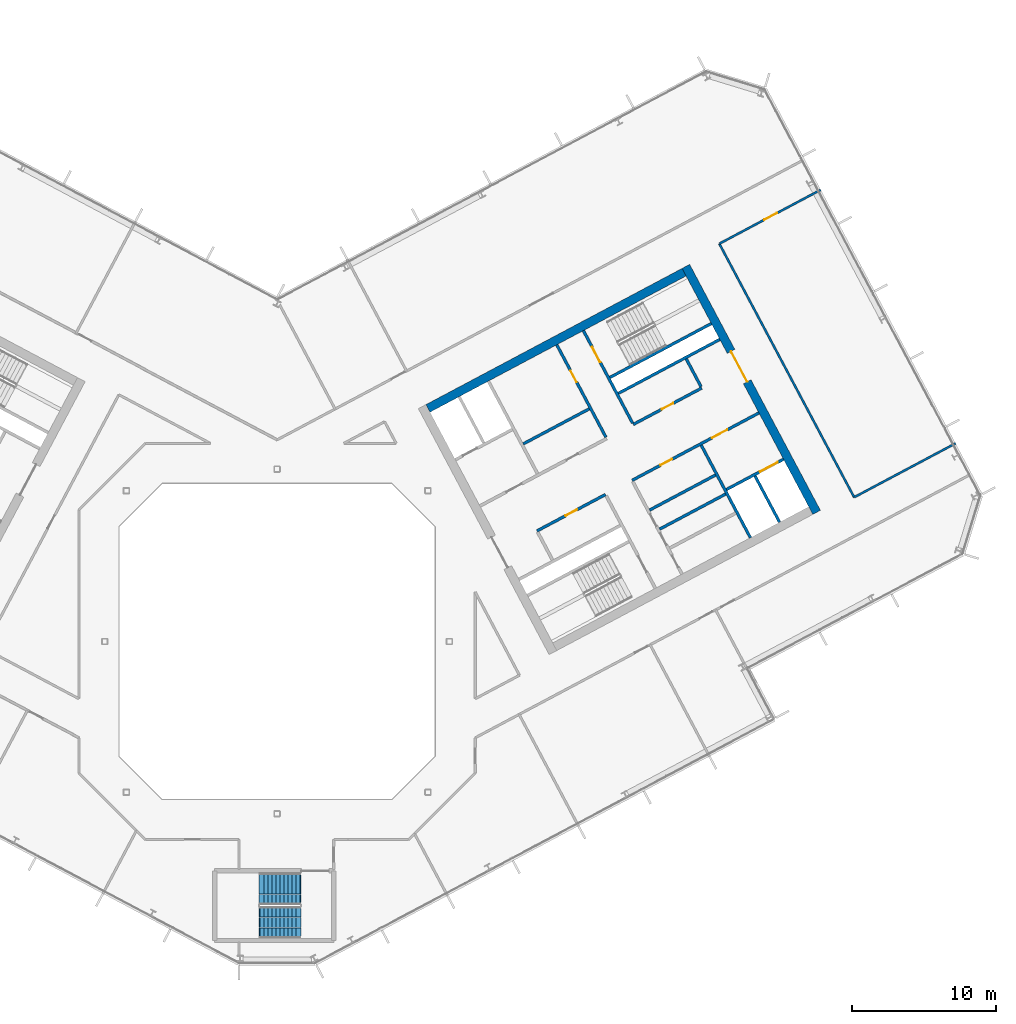
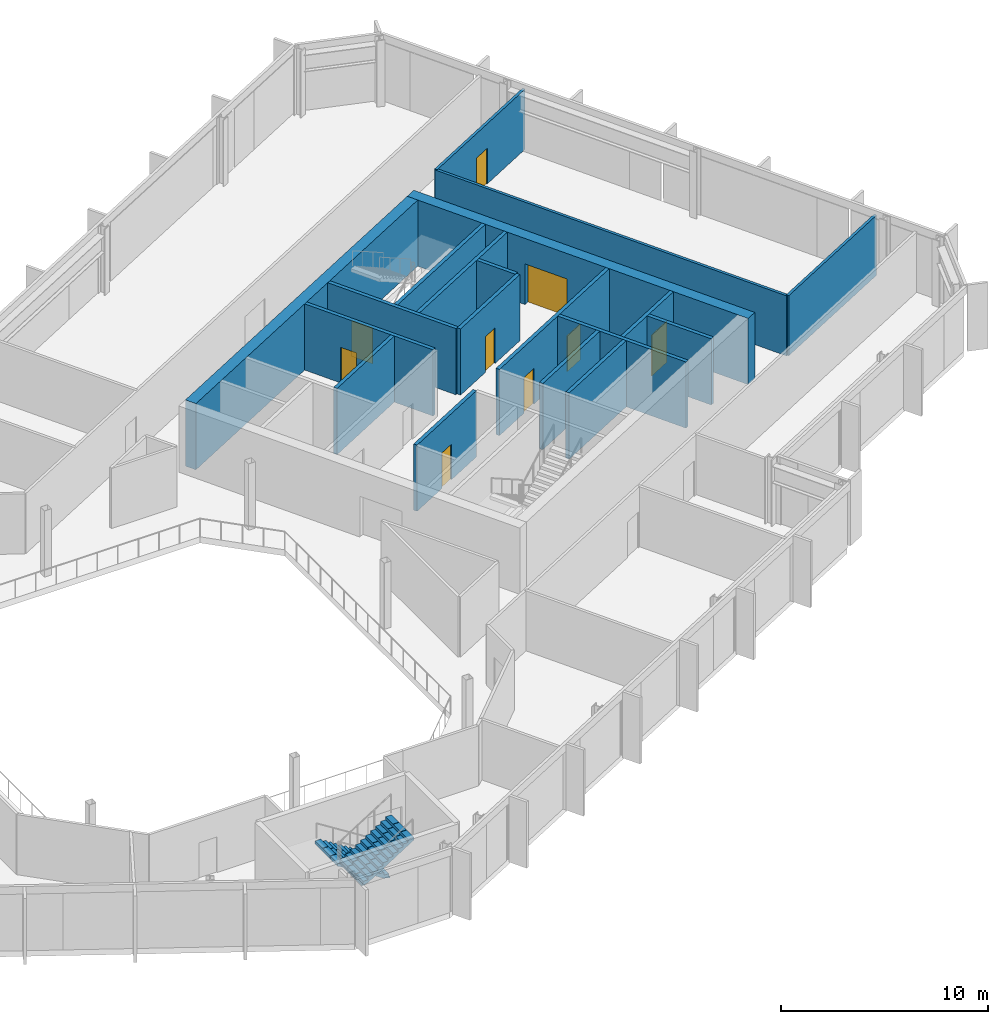
# One storey, part 17 of 27: 19 walls, 9 doors, 2 stair flights, 9 openings, 1 element without a shape of its own.
"""IFC4 building model written with IfcOpenShell, lengths in metres."""

from ifc_helpers import new_model, si_unit, direction, frame, frame_2d, origin, place, context, subcontext, project, spatial, polyline, rectangle, outline, extrude, material, layer, layer_set, type_object, element, fill, aggregate, save


model = new_model("IFC4")

# Units and contexts
model_context = context("Model", 3, precision=1e-05, world=origin(), true_north=direction((0.0, 1.0)))
body_context = subcontext(model_context, "Body", "Model", "MODEL_VIEW")
ifc_project = project(units=[si_unit("LENGTHUNIT", "METRE"), si_unit("AREAUNIT", "SQUARE_METRE"), si_unit("VOLUMEUNIT", "CUBIC_METRE"), si_unit("PLANEANGLEUNIT", "RADIAN"), si_unit("MASSUNIT", "GRAM", prefix="KILO")], contexts=[model_context])

# Site, building, storey
site_placement = place(None, origin())
site = spatial("IfcSite", under=ifc_project, at=site_placement, CompositionType="ELEMENT")
building_placement = place(site_placement, origin())
building = spatial("IfcBuilding", under=site, at=building_placement, Name="Cormorant Relay Tower", CompositionType="ELEMENT")
storey_placement = place(building_placement, frame((0.0, 0.0, 201.300048828125)))
storey = spatial("IfcBuildingStorey", under=building, at=storey_placement, Name="L43", CompositionType="ELEMENT", Elevation=201.300048828125)

# Wall
ifc_material_1 = material(Name="Concrete 40 MPa", Category="concrete")
ifc_layer_1 = layer(ifc_material_1, 0.199951171875)
ifc_layer_set_1 = layer_set([ifc_layer_1], Name="Core internal wall 200")
wall_type_1 = type_object("IfcWallType", Name="Core internal wall 200", PredefinedType="SOLIDWALL", material=ifc_layer_set_1)
wall_1_placement = place(storey_placement, frame((26.645263671875, 7.8251953125, 0.0), z_axis=(0.0, 0.0, 1.0), x_axis=(0.882953967957, 0.469459572775, 0.0)))
element("IfcWall", 1, at=wall_1_placement, inside=storey, type_object=wall_type_1, Name="L43 core B shaft and room wall", PredefinedType="SOLIDWALL", context=body_context, shape_type="SweptSolid", body=[
    extrude(rectangle(XDim=5.199951171875, YDim=0.199951171875, at=frame_2d((2.60009765625, 0.0))), origin(), (0.0, 0.0, 1.0), 3.89990234375),
])

# Wall, opening, door
ifc_material_2 = material(Name="Concrete 50 MPa", Category="concrete")
ifc_layer_2 = layer(ifc_material_2, 0.199951171875)
ifc_layer_set_2 = layer_set([ifc_layer_2], Name="Core shaft wall 200")
wall_type_2 = type_object("IfcWallType", Name="Core shaft wall 200", PredefinedType="SHEAR", material=ifc_layer_set_2)
wall_2_placement = place(storey_placement, frame((22.90625, 14.218017578125, 0.0), z_axis=(0.0, 0.0, 1.0), x_axis=(-0.469480409012, 0.88294288918, 0.0)))
wall_2 = element("IfcWall", 2, at=wall_2_placement, inside=storey, type_object=wall_type_2, Name="L43 core B shaft wall", PredefinedType="SHEAR", context=body_context, shape_type="SweptSolid", body=[
    extrude(rectangle(XDim=7.300048828125, YDim=0.199951171875, at=frame_2d((3.64990234375, 0.0))), origin(), (0.0, 0.0, 1.0), 3.89990234375),
])
opening_1_placement = place(wall_2_placement, frame((4.35009765625, 0.0, 0.0)))
opening_1 = element("IfcOpeningElement", 3, at=opening_1_placement, cuts=wall_2, Name="Opening CDD-264", PredefinedType="OPENING", context=body_context, shape_type="SweptSolid", body=[
    extrude(rectangle(XDim=0.89990234375, YDim=2.10009765625, at=frame_2d((0.449951171875, 1.050048828125))), frame((0.0, 0.10986328125, 0.0), z_axis=(0.0, -1.0, 0.0), x_axis=(1.0, 0.0, 0.0)), (0.0, 0.0, 1.0), 0.219970703125),
])
ifc_material_3 = material(Name="Steel fire door", Category="steel")
door_type_1 = type_object("IfcDoorType", Name="Core room door 900x2100", OperationType="SINGLE_SWING_LEFT", PredefinedType="DOOR", material=ifc_material_3)
door_1_placement = place(opening_1_placement, origin())
door_1 = element("IfcDoor", 4, at=door_1_placement, inside=storey, type_object=door_type_1, Name="Core room door 900x2100", OperationType="SINGLE_SWING_LEFT", OverallHeight=2.10009765625, OverallWidth=0.89990234375, PredefinedType="DOOR", context=body_context, shape_type="SweptSolid", body=[
    extrude(rectangle(XDim=0.89990234375, YDim=2.10009765625, at=frame_2d((0.449951171875, 1.050048828125))), frame((0.0, 0.02490234375, 0.0), z_axis=(0.0, -1.0, 0.0), x_axis=(1.0, 0.0, 0.0)), (0.0, 0.0, 1.0), 0.050048828125),
])
fill(opening_1, door_1)

wall_3_placement = place(storey_placement, frame((24.760498046875, 15.2041015625, 0.0), z_axis=(0.0, 0.0, 1.0), x_axis=(-0.469494272526, 0.882935517501, 0.0)))
wall_3 = element("IfcWall", 5, at=wall_3_placement, inside=storey, type_object=wall_type_2, Name="L43 core B shaft wall", PredefinedType="SHEAR", context=body_context, shape_type="SweptSolid", body=[
    extrude(rectangle(XDim=7.2998046875, YDim=0.199951171875, at=frame_2d((3.64990234375, 0.0))), origin(), (0.0, 0.0, 1.0), 3.89990234375),
])
opening_2_placement = place(wall_3_placement, frame((4.800048828125, 0.0, 0.0)))
opening_2 = element("IfcOpeningElement", 6, at=opening_2_placement, cuts=wall_3, Name="Opening CDB-041", PredefinedType="OPENING", context=body_context, shape_type="SweptSolid", body=[
    extrude(rectangle(XDim=1.199951171875, YDim=2.10009765625, at=frame_2d((0.60009765625, 1.050048828125))), frame((0.0, 0.10986328125, 0.0), z_axis=(0.0, -1.0, 0.0), x_axis=(1.0, 0.0, 0.0)), (0.0, 0.0, 1.0), 0.219970703125),
])
ifc_material_4 = material(Name="Steel fire door", Category="steel")
door_type_2 = type_object("IfcDoorType", Name="Core stair door 1200x2100", OperationType="SINGLE_SWING_LEFT", PredefinedType="DOOR", material=ifc_material_4)
door_2_placement = place(opening_2_placement, frame((1.199951171875, 0.0, 0.0), z_axis=(0.0, 0.0, 1.0), x_axis=(-1.0, 0.0, 0.0)))
door_2 = element("IfcDoor", 7, at=door_2_placement, inside=storey, type_object=door_type_2, Name="Core stair door 1200x2100", OperationType="SINGLE_SWING_RIGHT", OverallHeight=2.10009765625, OverallWidth=1.199951171875, PredefinedType="DOOR", context=body_context, shape_type="SweptSolid", body=[
    extrude(rectangle(XDim=1.199951171875, YDim=2.10009765625, at=frame_2d((0.60009765625, 1.050048828125))), frame((0.0, 0.02490234375, 0.0), z_axis=(0.0, -1.0, 0.0), x_axis=(1.0, 0.0, 0.0)), (0.0, 0.0, 1.0), 0.050048828125),
])
fill(opening_2, door_2)

# Walls
wall_4_placement = place(storey_placement, frame((32.968017578125, 7.222900390625, 0.0), z_axis=(0.0, 0.0, 1.0), x_axis=(-0.469480409012, 0.88294288918, 0.0)))
element("IfcWall", 8, at=wall_4_placement, inside=storey, type_object=wall_type_2, Name="L43 core B shaft wall", PredefinedType="SHEAR", context=body_context, shape_type="SweptSolid", body=[
    extrude(rectangle(XDim=7.300048828125, YDim=0.199951171875, at=frame_2d((3.64990234375, 0.0))), origin(), (0.0, 0.0, 1.0), 3.89990234375),
])
wall_5_placement = place(storey_placement, frame((29.5283203125, 17.739013671875, 0.0), z_axis=(0.0, 0.0, 1.0), x_axis=(-0.469401318492, 0.882984938828, 0.0)))
element("IfcWall", 9, at=wall_5_placement, inside=storey, type_object=wall_type_2, Name="L43 core B shaft wall", PredefinedType="SHEAR", context=body_context, shape_type="SweptSolid", body=[
    extrude(rectangle(XDim=2.199951171875, YDim=0.199951171875, at=frame_2d((1.10009765625, 0.0))), origin(), (0.0, 0.0, 1.0), 3.89990234375),
])
wall_6_placement = place(storey_placement, frame((34.998779296875, 8.302734375, 0.0), z_axis=(0.0, 0.0, 1.0), x_axis=(-0.4694665462, 0.882950260207, 0.0)))
element("IfcWall", 10, at=wall_6_placement, inside=storey, type_object=wall_type_2, Name="L43 core B shaft wall", PredefinedType="SHEAR", context=body_context, shape_type="SweptSolid", body=[
    extrude(rectangle(XDim=3.650146484375, YDim=0.199951171875, at=frame_2d((1.8251953125, 0.0))), origin(), (0.0, 0.0, 1.0), 3.89990234375),
])

# Wall, opening, door
wall_7_placement = place(storey_placement, frame((31.295654296875, 10.5810546875, 0.0), z_axis=(0.0, 0.0, 1.0), x_axis=(0.882960433586, 0.469447412093, 0.0)))
wall_7 = element("IfcWall", 11, at=wall_7_placement, inside=storey, type_object=wall_type_2, Name="L43 core B shaft wall", PredefinedType="SHEAR", context=body_context, shape_type="SweptSolid", body=[
    extrude(rectangle(XDim=4.5, YDim=0.199951171875, at=frame_2d((2.25, 0.0))), origin(), (0.0, 0.0, 1.0), 3.89990234375),
])
opening_3_placement = place(wall_7_placement, frame((2.64990234375, 0.0, 0.0)))
opening_3 = element("IfcOpeningElement", 12, at=opening_3_placement, cuts=wall_7, Name="Opening LD3-016", PredefinedType="OPENING", context=body_context, shape_type="SweptSolid", body=[
    extrude(rectangle(XDim=1.39990234375, YDim=2.39990234375, at=frame_2d((0.699951171875, 1.199951171875))), frame((0.0, 0.10986328125, 0.0), z_axis=(0.0, -1.0, 0.0), x_axis=(1.0, 0.0, 0.0)), (0.0, 0.0, 1.0), 0.219970703125),
])
ifc_material_5 = material(Name="Stainless steel 316", Category="steel")
door_type_3 = type_object("IfcDoorType", Name="Lift landing door 1400x2400", OperationType="DOUBLE_DOOR_SLIDING", PredefinedType="DOOR", material=ifc_material_5)
door_3_placement = place(opening_3_placement, origin())
door_3 = element("IfcDoor", 13, at=door_3_placement, inside=storey, type_object=door_type_3, Name="SV2 landing door", OperationType="DOUBLE_DOOR_SLIDING", OverallHeight=2.39990234375, OverallWidth=1.39990234375, PredefinedType="DOOR", context=body_context, shape_type="SweptSolid", body=[
    extrude(rectangle(XDim=1.39990234375, YDim=2.39990234375, at=frame_2d((0.699951171875, 1.199951171875))), frame((0.0, 0.02490234375, 0.0), z_axis=(0.0, -1.0, 0.0), x_axis=(1.0, 0.0, 0.0)), (0.0, 0.0, 1.0), 0.050048828125),
])
fill(opening_3, door_3)

# Wall
wall_8_placement = place(storey_placement, frame((25.94091796875, 9.149658203125, 0.0), z_axis=(0.0, 0.0, 1.0), x_axis=(0.882953967957, 0.469459572775, 0.0)))
element("IfcWall", 14, at=wall_8_placement, inside=storey, type_object=wall_type_2, Name="L43 core B shaft wall", PredefinedType="SHEAR", context=body_context, shape_type="SweptSolid", body=[
    extrude(rectangle(XDim=5.199951171875, YDim=0.199951171875, at=frame_2d((2.60009765625, 0.0))), origin(), (0.0, 0.0, 1.0), 3.89990234375),
])

# Wall, opening, door
wall_9_placement = place(storey_placement, frame((18.103759765625, 7.70068359375, 0.0), z_axis=(0.0, 0.0, 1.0), x_axis=(0.882952937579, 0.469461510692, 0.0)))
wall_9 = element("IfcWall", 15, at=wall_9_placement, inside=storey, type_object=wall_type_2, Name="L43 core B shaft wall", PredefinedType="SHEAR", context=body_context, shape_type="SweptSolid", body=[
    extrude(rectangle(XDim=5.400146484375, YDim=0.199951171875, at=frame_2d((2.7001953125, 0.0))), origin(), (0.0, 0.0, 1.0), 3.89990234375),
])
opening_4_placement = place(wall_9_placement, frame((2.25, 0.0, 0.0)))
opening_4 = element("IfcOpeningElement", 16, at=opening_4_placement, cuts=wall_9, Name="Opening CDD-262", PredefinedType="OPENING", context=body_context, shape_type="SweptSolid", body=[
    extrude(rectangle(XDim=0.89990234375, YDim=2.10009765625, at=frame_2d((0.449951171875, 1.050048828125))), frame((0.0, 0.10986328125, 0.0), z_axis=(0.0, -1.0, 0.0), x_axis=(1.0, 0.0, 0.0)), (0.0, 0.0, 1.0), 0.219970703125),
])
door_4_placement = place(opening_4_placement, frame((0.89990234375, 0.0, 0.0), z_axis=(0.0, 0.0, 1.0), x_axis=(-1.0, 0.0, 0.0)))
door_4 = element("IfcDoor", 17, at=door_4_placement, inside=storey, type_object=door_type_1, Name="Core room door 900x2100", OperationType="SINGLE_SWING_RIGHT", OverallHeight=2.10009765625, OverallWidth=0.89990234375, PredefinedType="DOOR", context=body_context, shape_type="SweptSolid", body=[
    extrude(rectangle(XDim=0.89990234375, YDim=2.10009765625, at=frame_2d((0.449951171875, 1.050048828125))), frame((0.0, 0.02490234375, 0.0), z_axis=(0.0, -1.0, 0.0), x_axis=(1.0, 0.0, 0.0)), (0.0, 0.0, 1.0), 0.050048828125),
])
fill(opening_4, door_4)

# Wall, openings, doors
wall_10_placement = place(storey_placement, frame((24.72607421875, 11.2216796875, 0.0), z_axis=(0.0, 0.0, 1.0), x_axis=(0.882940221191, 0.469485426614, 0.0)))
wall_10 = element("IfcWall", 18, at=wall_10_placement, inside=storey, type_object=wall_type_2, Name="L43 core B shaft wall", PredefinedType="SHEAR", context=body_context, shape_type="SweptSolid", body=[
    extrude(rectangle(XDim=10.0, YDim=0.199951171875, at=frame_2d((5.0, 0.0))), origin(), (0.0, 0.0, 1.0), 3.89990234375),
])
opening_5_placement = place(wall_10_placement, frame((6.300048828125, 0.0, 0.0)))
opening_5 = element("IfcOpeningElement", 19, at=opening_5_placement, cuts=wall_10, Name="Opening CDC-038", PredefinedType="OPENING", context=body_context, shape_type="SweptSolid", body=[
    extrude(rectangle(XDim=1.199951171875, YDim=2.10009765625, at=frame_2d((0.60009765625, 1.050048828125))), frame((0.0, 0.10986328125, 0.0), z_axis=(0.0, -1.0, 0.0), x_axis=(1.0, 0.0, 0.0)), (0.0, 0.0, 1.0), 0.219970703125),
])
opening_6_placement = place(wall_10_placement, frame((2.25, 0.0, 0.0)))
opening_6 = element("IfcOpeningElement", 20, at=opening_6_placement, cuts=wall_10, Name="Opening CDD-263", PredefinedType="OPENING", context=body_context, shape_type="SweptSolid", body=[
    extrude(rectangle(XDim=0.89990234375, YDim=2.10009765625, at=frame_2d((0.449951171875, 1.050048828125))), frame((0.0, 0.10986328125, 0.0), z_axis=(0.0, -1.0, 0.0), x_axis=(1.0, 0.0, 0.0)), (0.0, 0.0, 1.0), 0.219970703125),
])
ifc_material_6 = material(Name="Steel fire door", Category="steel")
door_type_4 = type_object("IfcDoorType", Name="Core lobby door 1200x2100", OperationType="SINGLE_SWING_LEFT", PredefinedType="DOOR", material=ifc_material_6)
door_5_placement = place(opening_5_placement, origin())
door_5 = element("IfcDoor", 21, at=door_5_placement, inside=storey, type_object=door_type_4, Name="Core lobby door 1200x2100", OperationType="SINGLE_SWING_LEFT", OverallHeight=2.10009765625, OverallWidth=1.199951171875, PredefinedType="DOOR", context=body_context, shape_type="SweptSolid", body=[
    extrude(rectangle(XDim=1.199951171875, YDim=2.10009765625, at=frame_2d((0.60009765625, 1.050048828125))), frame((0.0, 0.02490234375, 0.0), z_axis=(0.0, -1.0, 0.0), x_axis=(1.0, 0.0, 0.0)), (0.0, 0.0, 1.0), 0.050048828125),
])
fill(opening_5, door_5)
door_6_placement = place(opening_6_placement, frame((0.89990234375, 0.0, 0.0), z_axis=(0.0, 0.0, 1.0), x_axis=(-1.0, 0.0, 0.0)))
door_6 = element("IfcDoor", 22, at=door_6_placement, inside=storey, type_object=door_type_1, Name="Core room door 900x2100", OperationType="SINGLE_SWING_RIGHT", OverallHeight=2.10009765625, OverallWidth=0.89990234375, PredefinedType="DOOR", context=body_context, shape_type="SweptSolid", body=[
    extrude(rectangle(XDim=0.89990234375, YDim=2.10009765625, at=frame_2d((0.449951171875, 1.050048828125))), frame((0.0, 0.02490234375, 0.0), z_axis=(0.0, -1.0, 0.0), x_axis=(1.0, 0.0, 0.0)), (0.0, 0.0, 1.0), 0.050048828125),
])
fill(opening_6, door_6)

# Wall, opening, door
wall_11_placement = place(storey_placement, frame((24.807373046875, 15.11572265625, 0.0), z_axis=(0.0, 0.0, 1.0), x_axis=(0.882942972946, 0.469480251476, 0.0)))
wall_11 = element("IfcWall", 23, at=wall_11_placement, inside=storey, type_object=wall_type_2, Name="L43 core B shaft wall", PredefinedType="SHEAR", context=body_context, shape_type="SweptSolid", body=[
    extrude(rectangle(XDim=5.39990234375, YDim=0.199951171875, at=frame_2d((2.699951171875, 0.0))), origin(), (0.0, 0.0, 1.0), 3.89990234375),
])
opening_7_placement = place(wall_11_placement, frame((2.25, 0.0, 0.0)))
opening_7 = element("IfcOpeningElement", 24, at=opening_7_placement, cuts=wall_11, Name="Opening CDD-261", PredefinedType="OPENING", context=body_context, shape_type="SweptSolid", body=[
    extrude(rectangle(XDim=0.89990234375, YDim=2.10009765625, at=frame_2d((0.449951171875, 1.050048828125))), frame((0.0, 0.10986328125, 0.0), z_axis=(0.0, -1.0, 0.0), x_axis=(1.0, 0.0, 0.0)), (0.0, 0.0, 1.0), 0.219970703125),
])
door_7_placement = place(opening_7_placement, origin())
door_7 = element("IfcDoor", 25, at=door_7_placement, inside=storey, type_object=door_type_1, Name="Core room door 900x2100", OperationType="SINGLE_SWING_LEFT", OverallHeight=2.10009765625, OverallWidth=0.89990234375, PredefinedType="DOOR", context=body_context, shape_type="SweptSolid", body=[
    extrude(rectangle(XDim=0.89990234375, YDim=2.10009765625, at=frame_2d((0.449951171875, 1.050048828125))), frame((0.0, 0.02490234375, 0.0), z_axis=(0.0, -1.0, 0.0), x_axis=(1.0, 0.0, 0.0)), (0.0, 0.0, 1.0), 0.050048828125),
])
fill(opening_7, door_7)

# Walls
wall_12_placement = place(storey_placement, frame((17.146728515625, 13.7607421875, 0.0), z_axis=(0.0, 0.0, 1.0), x_axis=(0.882964314875, 0.469440111896, 0.0)))
element("IfcWall", 26, at=wall_12_placement, inside=storey, type_object=wall_type_2, Name="L43 core B shaft wall", PredefinedType="SHEAR", context=body_context, shape_type="SweptSolid", body=[
    extrude(rectangle(XDim=5.2001953125, YDim=0.199951171875, at=frame_2d((2.60009765625, 0.0))), origin(), (0.0, 0.0, 1.0), 3.89990234375),
])
wall_13_placement = place(storey_placement, frame((23.76904296875, 17.28173828125, 0.0), z_axis=(0.0, 0.0, 1.0), x_axis=(0.882940221191, 0.469485426614, 0.0)))
element("IfcWall", 27, at=wall_13_placement, inside=storey, type_object=wall_type_2, Name="L43 core B shaft wall", PredefinedType="SHEAR", context=body_context, shape_type="SweptSolid", body=[
    extrude(rectangle(XDim=8.0, YDim=0.199951171875, at=frame_2d((4.0, 0.0))), origin(), (0.0, 0.0, 1.0), 3.89990234375),
])
wall_14_placement = place(storey_placement, frame((23.18212890625, 18.385498046875, 0.0), z_axis=(0.0, 0.0, 1.0), x_axis=(0.88295287151, 0.469461634952, 0.0)))
element("IfcWall", 28, at=wall_14_placement, inside=storey, type_object=wall_type_2, Name="L43 core B shaft wall", PredefinedType="SHEAR", context=body_context, shape_type="SweptSolid", body=[
    extrude(rectangle(XDim=7.999755859375, YDim=0.199951171875, at=frame_2d((4.0, 0.0))), origin(), (0.0, 0.0, 1.0), 3.89990234375),
])

# Wall, opening, door
ifc_material_7 = material(Name="Concrete 50 MPa", Category="concrete")
ifc_layer_3 = layer(ifc_material_7, 0.60009765625)
ifc_layer_set_3 = layer_set([ifc_layer_3], Name="Core wall 600")
wall_type_3 = type_object("IfcWallType", Name="Core wall 600", PredefinedType="SHEAR", material=ifc_layer_set_3)
wall_15_placement = place(storey_placement, frame((37.576171875, 8.99365234375, 0.0), z_axis=(0.0, 0.0, 1.0), x_axis=(-0.469478769487, 0.88294376095, 0.0)))
wall_15 = element("IfcWall", 29, at=wall_15_placement, inside=storey, type_object=wall_type_3, Name="L43 core B wall", PredefinedType="SHEAR", context=body_context, shape_type="SweptSolid", body=[
    extrude(rectangle(XDim=19.400146484375, YDim=0.60009765625, at=frame_2d((9.7001953125, 0.0))), origin(), (0.0, 0.0, 1.0), 3.89990234375),
])
opening_8_placement = place(wall_15_placement, frame((10.300048828125, 0.0, 0.0)))
opening_8 = element("IfcOpeningElement", 30, at=opening_8_placement, cuts=wall_15, Name="Opening CDA-043", PredefinedType="OPENING", context=body_context, shape_type="SweptSolid", body=[
    extrude(rectangle(XDim=2.39990234375, YDim=2.39990234375, at=frame_2d((1.199951171875, 1.199951171875))), frame((0.0, 0.31005859375, 0.0), z_axis=(0.0, -1.0, 0.0), x_axis=(1.0, 0.0, 0.0)), (0.0, 0.0, 1.0), 0.6201171875),
])
ifc_material_8 = material(Name="Steel fire door", Category="steel")
door_type_5 = type_object("IfcDoorType", Name="Core lobby door 2400x2400", OperationType="DOUBLE_DOOR_SINGLE_SWING", PredefinedType="DOOR", material=ifc_material_8)
door_8_placement = place(opening_8_placement, origin())
door_8 = element("IfcDoor", 31, at=door_8_placement, inside=storey, type_object=door_type_5, Name="Core lobby door 2400x2400", OperationType="DOUBLE_DOOR_SINGLE_SWING", OverallHeight=2.39990234375, OverallWidth=2.39990234375, PredefinedType="DOOR", context=body_context, shape_type="SweptSolid", body=[
    extrude(rectangle(XDim=2.39990234375, YDim=2.39990234375, at=frame_2d((1.199951171875, 1.199951171875))), frame((0.0, 0.02490234375, 0.0), z_axis=(0.0, -1.0, 0.0), x_axis=(1.0, 0.0, 0.0)), (0.0, 0.0, 1.0), 0.050048828125),
])
fill(opening_8, door_8)

# Wall
wall_16_placement = place(storey_placement, frame((10.5087890625, 16.23388671875, 0.0), z_axis=(0.0, 0.0, 1.0), x_axis=(0.88295010195, 0.469466843842, 0.0)))
element("IfcWall", 32, at=wall_16_placement, inside=storey, type_object=wall_type_3, Name="L43 core B wall", PredefinedType="SHEAR", context=body_context, shape_type="SweptSolid", body=[
    extrude(rectangle(XDim=20.199951171875, YDim=0.60009765625, at=frame_2d((10.10009765625, 0.0))), origin(), (0.0, 0.0, 1.0), 3.89990234375),
])

# Wall, opening, door
ifc_material_9 = material(Name="Gypsum board fire partition")
ifc_layer_4 = layer(ifc_material_9, 0.14990234375)
ifc_layer_set_4 = layer_set([ifc_layer_4], Name="Corridor partition 150 EI 60")
wall_type_4 = type_object("IfcWallType", Name="Corridor partition 150 EI 60", PredefinedType="PARTITIONING", material=ifc_layer_set_4)
wall_17_placement = place(storey_placement, frame((37.863037109375, 31.4580078125, 0.0), z_axis=(0.0, 0.0, 1.0), x_axis=(-0.882914115089, -0.469534519898, 0.0)))
wall_17 = element("IfcWall", 33, at=wall_17_placement, inside=storey, type_object=wall_type_4, Name="wall/L43/part/041", PredefinedType="PARTITIONING", context=body_context, shape_type="SweptSolid", body=[
    extrude(rectangle(XDim=7.99951171875, YDim=0.14990234375, at=frame_2d((3.999755859375, 0.0))), origin(), (0.0, 0.0, 1.0), 3.5400390625),
])
opening_9_placement = place(wall_17_placement, frame((3.450927734375, 0.0, 0.0)))
opening_9 = element("IfcOpeningElement", 34, at=opening_9_placement, cuts=wall_17, Name="Opening DS-137", PredefinedType="OPENING", context=body_context, shape_type="SweptSolid", body=[
    extrude(rectangle(XDim=1.0, YDim=2.10009765625, at=frame_2d((0.5, 1.050048828125))), frame((0.0, 0.0849609375, 0.0), z_axis=(0.0, -1.0, 0.0), x_axis=(1.0, 0.0, 0.0)), (0.0, 0.0, 1.0), 0.169921875),
])
ifc_material_10 = material(Name="Timber door leaf", Category="wood")
door_type_6 = type_object("IfcDoorType", Name="Suite door 1000x2100", OperationType="SINGLE_SWING_LEFT", PredefinedType="DOOR", material=ifc_material_10)
door_9_placement = place(opening_9_placement, origin())
door_9 = element("IfcDoor", 35, at=door_9_placement, inside=storey, type_object=door_type_6, Name="door/L43/021", OperationType="SINGLE_SWING_RIGHT", OverallHeight=2.10009765625, OverallWidth=1.0, PredefinedType="DOOR", context=body_context, shape_type="SweptSolid", body=[
    extrude(rectangle(XDim=1.0, YDim=2.10009765625, at=frame_2d((0.5, 1.050048828125))), frame((0.0, 0.02490234375, 0.0), z_axis=(0.0, -1.0, 0.0), x_axis=(1.0, 0.0, 0.0)), (0.0, 0.0, 1.0), 0.050048828125),
])
fill(opening_9, door_9)

# Walls
wall_18_placement = place(storey_placement, frame((30.800048828125, 27.701904296875, 0.0), z_axis=(0.0, 0.0, 1.0), x_axis=(0.469451816494, -0.882958091865, 0.0)))
element("IfcWall", 36, at=wall_18_placement, inside=storey, type_object=wall_type_4, Name="wall/L43/part/042", PredefinedType="PARTITIONING", context=body_context, shape_type="SweptSolid", body=[
    extrude(rectangle(XDim=19.999755859375, YDim=0.14990234375, at=frame_2d((10.0, 0.0))), origin(), (0.0, 0.0, 1.0), 3.5400390625),
])
wall_19_placement = place(storey_placement, frame((40.18896484375, 10.04296875, 0.0), z_axis=(0.0, 0.0, 1.0), x_axis=(0.882991619958, 0.469388750487, 0.0)))
element("IfcWall", 37, at=wall_19_placement, inside=storey, type_object=wall_type_4, Name="wall/L43/part/043", PredefinedType="PARTITIONING", context=body_context, shape_type="SweptSolid", body=[
    extrude(rectangle(XDim=8.0, YDim=0.14990234375, at=frame_2d((4.0, 0.0))), origin(), (0.0, 0.0, 1.0), 3.5400390625),
])

# Stair, stair flights
ifc_material_11 = material(Name="Concrete 40 MPa", Category="concrete")
stair_type = type_object("IfcStairType", Name="Remote exit stair 2200", PredefinedType="HALF_TURN_STAIR", material=ifc_material_11)
stair_placement = place(storey_placement, origin())
stair = element("IfcStair", 38, at=stair_placement, inside=storey, type_object=stair_type, Name="L43 Stair", PredefinedType="HALF_TURN_STAIR")
ifc_material_12 = material(Name="Concrete 40 MPa", Category="concrete")
stair_flight_type = type_object("IfcStairFlightType", Name="Remote exit stair flight 2200", PredefinedType="STRAIGHT", material=ifc_material_12)
stair_flight_1_placement = place(storey_placement, frame((1.60009765625, -17.22509765625, 0.0), z_axis=(0.0, 0.0, 1.0), x_axis=(-1.0, 0.0, 0.0)))
stair_flight_1 = element("IfcStairFlight", 39, at=stair_flight_1_placement, type_object=stair_flight_type, Name="RK1 flight 1", NumberOfRisers=11, NumberOfTreads=10, PredefinedType="STRAIGHT", RiserHeight=0.177272727, TreadLength=0.28, context=body_context, shape_type="SweptSolid", body=[
    extrude(outline(polyline([(-0.050048828125, -0.080078125), (-0.050048828125, 0.0), (0.0, 0.0), (0.0, 0.17724609375), (0.280029296875, 0.17724609375), (0.280029296875, 0.3544921875), (0.56005859375, 0.3544921875), (0.56005859375, 0.53173828125), (0.840087890625, 0.53173828125), (0.840087890625, 0.708984375), (1.1201171875, 0.708984375), (1.1201171875, 0.886474609375), (1.39990234375, 0.886474609375), (1.39990234375, 1.063720703125), (1.679931640625, 1.063720703125), (1.679931640625, 1.240966796875), (1.9599609375, 1.240966796875), (1.9599609375, 1.418212890625), (2.239990234375, 1.418212890625), (2.239990234375, 1.595458984375), (2.52001953125, 1.595458984375), (2.52001953125, 1.772705078125), (2.800048828125, 1.772705078125), (2.85009765625, 1.772705078125), (2.85009765625, 1.59521484375), (2.800048828125, 1.59521484375), (0.2802734375, 0.0), (-0.050048828125, -0.080078125)])), frame((0.0, 1.10009765625, 0.0), z_axis=(0.0, -1.0, 0.0), x_axis=(1.0, 0.0, 0.0)), (0.0, 0.0, 1.0), 0.719970703125),
    extrude(outline(polyline([(-0.050048828125, -0.080078125), (-0.050048828125, 0.0), (0.0, 0.0), (0.0, 0.17724609375), (0.280029296875, 0.17724609375), (0.280029296875, 0.3544921875), (0.56005859375, 0.3544921875), (0.56005859375, 0.53173828125), (0.840087890625, 0.53173828125), (0.840087890625, 0.708984375), (1.1201171875, 0.708984375), (1.1201171875, 0.886474609375), (1.39990234375, 0.886474609375), (1.39990234375, 1.063720703125), (1.679931640625, 1.063720703125), (1.679931640625, 1.240966796875), (1.9599609375, 1.240966796875), (1.9599609375, 1.418212890625), (2.239990234375, 1.418212890625), (2.239990234375, 1.595458984375), (2.52001953125, 1.595458984375), (2.52001953125, 1.772705078125), (2.800048828125, 1.772705078125), (2.85009765625, 1.772705078125), (2.85009765625, 1.59521484375), (2.800048828125, 1.59521484375), (0.2802734375, 0.0), (-0.050048828125, -0.080078125)])), frame((0.0, 0.360107421875, 0.0), z_axis=(0.0, -1.0, 0.0), x_axis=(1.0, 0.0, 0.0)), (0.0, 0.0, 1.0), 0.719970703125),
    extrude(outline(polyline([(-0.050048828125, -0.080078125), (-0.050048828125, 0.0), (0.0, 0.0), (0.0, 0.17724609375), (0.280029296875, 0.17724609375), (0.280029296875, 0.3544921875), (0.56005859375, 0.3544921875), (0.56005859375, 0.53173828125), (0.840087890625, 0.53173828125), (0.840087890625, 0.708984375), (1.1201171875, 0.708984375), (1.1201171875, 0.886474609375), (1.39990234375, 0.886474609375), (1.39990234375, 1.063720703125), (1.679931640625, 1.063720703125), (1.679931640625, 1.240966796875), (1.9599609375, 1.240966796875), (1.9599609375, 1.418212890625), (2.239990234375, 1.418212890625), (2.239990234375, 1.595458984375), (2.52001953125, 1.595458984375), (2.52001953125, 1.772705078125), (2.800048828125, 1.772705078125), (2.85009765625, 1.772705078125), (2.85009765625, 1.59521484375), (2.800048828125, 1.59521484375), (0.2802734375, 0.0), (-0.050048828125, -0.080078125)])), frame((0.0, -0.3798828125, 0.0), z_axis=(0.0, -1.0, 0.0), x_axis=(1.0, 0.0, 0.0)), (0.0, 0.0, 1.0), 0.719970703125),
])
stair_flight_2_placement = place(storey_placement, frame((-1.199951171875, -19.574951171875, 1.949951171875), z_axis=(0.0, 0.0, 1.0), x_axis=(1.0, 0.0, 0.0)))
stair_flight_2 = element("IfcStairFlight", 40, at=stair_flight_2_placement, type_object=stair_flight_type, Name="RK1 flight 2", NumberOfRisers=11, NumberOfTreads=10, PredefinedType="STRAIGHT", RiserHeight=0.177272727, TreadLength=0.28, context=body_context, shape_type="SweptSolid", body=[
    extrude(outline(polyline([(-0.050048828125, -0.080078125), (-0.050048828125, 0.0), (0.0, 0.0), (0.0, 0.17724609375), (0.280029296875, 0.17724609375), (0.280029296875, 0.3544921875), (0.56005859375, 0.3544921875), (0.56005859375, 0.53173828125), (0.840087890625, 0.53173828125), (0.840087890625, 0.708984375), (1.1201171875, 0.708984375), (1.1201171875, 0.886474609375), (1.39990234375, 0.886474609375), (1.39990234375, 1.063720703125), (1.679931640625, 1.063720703125), (1.679931640625, 1.240966796875), (1.9599609375, 1.240966796875), (1.9599609375, 1.418212890625), (2.239990234375, 1.418212890625), (2.239990234375, 1.595458984375), (2.52001953125, 1.595458984375), (2.52001953125, 1.772705078125), (2.800048828125, 1.772705078125), (2.85009765625, 1.772705078125), (2.85009765625, 1.59521484375), (2.800048828125, 1.59521484375), (0.2802734375, 0.0), (-0.050048828125, -0.080078125)])), frame((0.0, 1.10009765625, 0.0), z_axis=(0.0, -1.0, 0.0), x_axis=(1.0, 0.0, 0.0)), (0.0, 0.0, 1.0), 0.719970703125),
    extrude(outline(polyline([(-0.050048828125, -0.080078125), (-0.050048828125, 0.0), (0.0, 0.0), (0.0, 0.17724609375), (0.280029296875, 0.17724609375), (0.280029296875, 0.3544921875), (0.56005859375, 0.3544921875), (0.56005859375, 0.53173828125), (0.840087890625, 0.53173828125), (0.840087890625, 0.708984375), (1.1201171875, 0.708984375), (1.1201171875, 0.886474609375), (1.39990234375, 0.886474609375), (1.39990234375, 1.063720703125), (1.679931640625, 1.063720703125), (1.679931640625, 1.240966796875), (1.9599609375, 1.240966796875), (1.9599609375, 1.418212890625), (2.239990234375, 1.418212890625), (2.239990234375, 1.595458984375), (2.52001953125, 1.595458984375), (2.52001953125, 1.772705078125), (2.800048828125, 1.772705078125), (2.85009765625, 1.772705078125), (2.85009765625, 1.59521484375), (2.800048828125, 1.59521484375), (0.2802734375, 0.0), (-0.050048828125, -0.080078125)])), frame((0.0, 0.360107421875, 0.0), z_axis=(0.0, -1.0, 0.0), x_axis=(1.0, 0.0, 0.0)), (0.0, 0.0, 1.0), 0.719970703125),
    extrude(outline(polyline([(-0.050048828125, -0.080078125), (-0.050048828125, 0.0), (0.0, 0.0), (0.0, 0.17724609375), (0.280029296875, 0.17724609375), (0.280029296875, 0.3544921875), (0.56005859375, 0.3544921875), (0.56005859375, 0.53173828125), (0.840087890625, 0.53173828125), (0.840087890625, 0.708984375), (1.1201171875, 0.708984375), (1.1201171875, 0.886474609375), (1.39990234375, 0.886474609375), (1.39990234375, 1.063720703125), (1.679931640625, 1.063720703125), (1.679931640625, 1.240966796875), (1.9599609375, 1.240966796875), (1.9599609375, 1.418212890625), (2.239990234375, 1.418212890625), (2.239990234375, 1.595458984375), (2.52001953125, 1.595458984375), (2.52001953125, 1.772705078125), (2.800048828125, 1.772705078125), (2.85009765625, 1.772705078125), (2.85009765625, 1.59521484375), (2.800048828125, 1.59521484375), (0.2802734375, 0.0), (-0.050048828125, -0.080078125)])), frame((0.0, -0.3798828125, 0.0), z_axis=(0.0, -1.0, 0.0), x_axis=(1.0, 0.0, 0.0)), (0.0, 0.0, 1.0), 0.719970703125),
])
aggregate(stair, [stair_flight_1, stair_flight_2])

save(model, "model.ifc")
